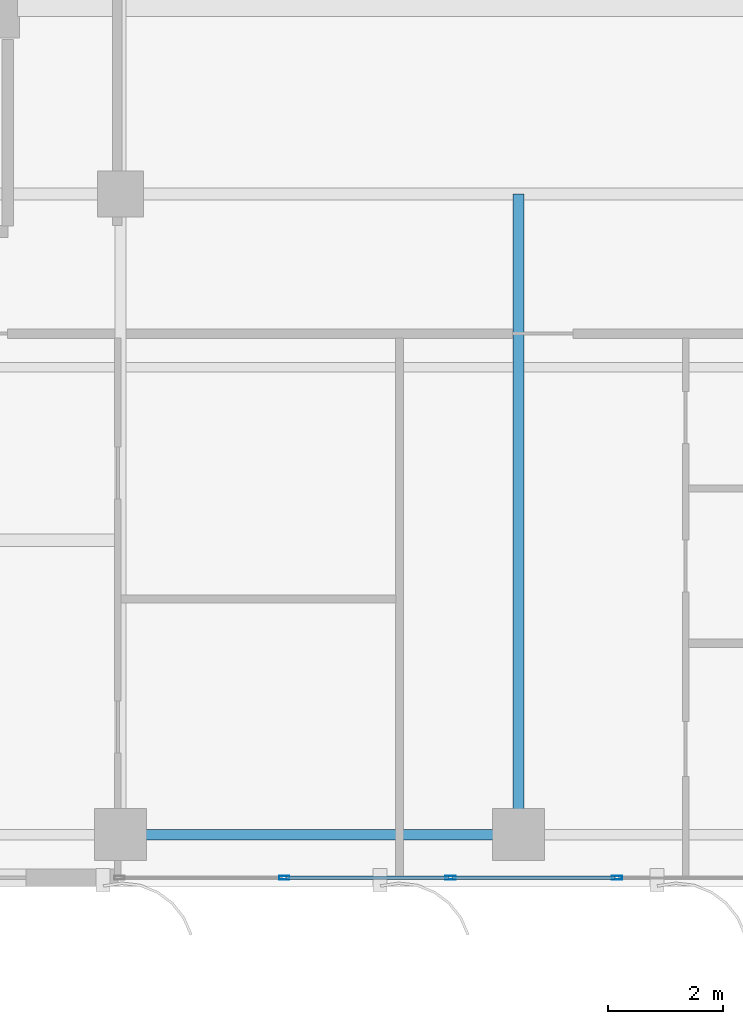
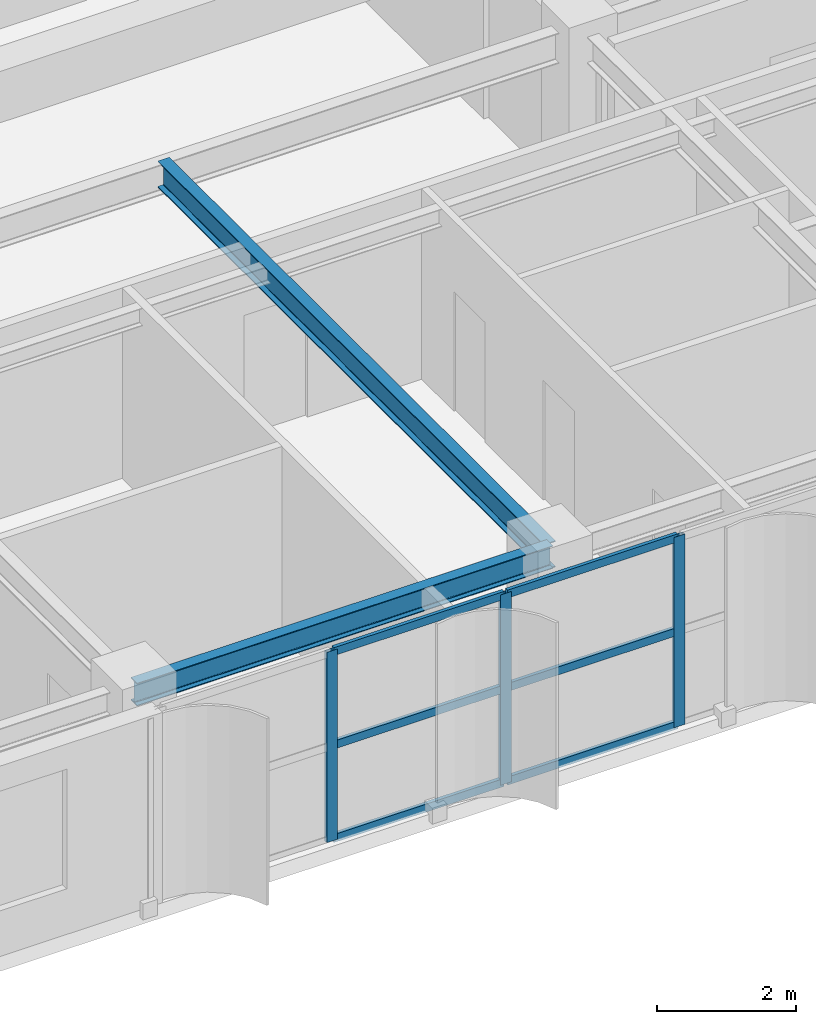
# One storey, part 4 of 25: 9 members, 2 beams, 1 element without a shape of its own.
"""IFC4 building model written with IfcOpenShell, lengths in metres."""

from ifc_helpers import new_model, si_unit, direction, frame, origin, origin_2d, place, context, subcontext, project, spatial, hollow_rectangle, i_section, extrude, source, transform, mapped, material, layer, layer_set, material_profile, profile_set, type_object, element, aggregate, save


model = new_model("IFC4")

# Units and contexts
model_context = context("Model", 3, precision=1e-05, world=origin(), true_north=direction((0.0, 1.0)))
body_context = subcontext(model_context, "Body", "Model", "MODEL_VIEW")
ifc_project = project(units=[si_unit("LENGTHUNIT", "METRE"), si_unit("AREAUNIT", "SQUARE_METRE"), si_unit("VOLUMEUNIT", "CUBIC_METRE"), si_unit("PLANEANGLEUNIT", "RADIAN"), si_unit("MASSUNIT", "GRAM", prefix="KILO")], contexts=[model_context])

# Site, building, storey
site_placement = place(None, origin())
site = spatial("IfcSite", under=ifc_project, at=site_placement, CompositionType="ELEMENT")
building_placement = place(site_placement, origin())
building = spatial("IfcBuilding", under=site, at=building_placement, Name="Khoralis Quay Care Tower", CompositionType="ELEMENT")
storey_placement = place(building_placement, frame((0.0, 0.0, 166.5)))
storey = spatial("IfcBuildingStorey", under=building, at=storey_placement, Name="L43", CompositionType="ELEMENT", Elevation=166.5)

# Beams
ifc_material_1 = material(Name="Steel S355", Category="steel")
ifc_material_profile_1 = material_profile(ifc_material_1, i_section(OverallWidth=0.179931640625, OverallDepth=0.39990234375, WebThickness=0.008544921875, FlangeThickness=0.013427734375, FilletRadius=0.02099609375, at=origin_2d()), Name="Steel S355")
ifc_profile_set_1 = profile_set([ifc_material_profile_1], Name="Steel S355")
beam_type_1 = type_object("IfcBeamType", Name="BM-IPE400", PredefinedType="SPANDREL", material=ifc_profile_set_1)
shared_shape_1 = source(origin(), body_context, "Body", "SweptSolid", [
    extrude(i_section(OverallWidth=0.179931640625, OverallDepth=0.39990234375, WebThickness=0.008544921875, FlangeThickness=0.013427734375, FilletRadius=0.02099609375, at=origin_2d()), origin(), (0.0, 0.0, 1.0), 6.89990234375),
])
beam_1_placement = place(storey_placement, frame((17.10009765625, 0.89990234375, 3.139892578125), z_axis=(1.0, 0.0, 0.0), x_axis=(0.0, 1.0, 0.0)))
element("IfcBeam", 1, at=beam_1_placement, inside=storey, type_object=beam_type_1, Name="BM-TSP-L43-02", PredefinedType="SPANDREL", context=body_context, shape_type="MappedRepresentation", body=[
    mapped(shared_shape_1, transform((0.0, 0.0, 0.0), scale=1.0)),
])
ifc_material_profile_2 = material_profile(ifc_material_1, i_section(OverallWidth=0.19189453125, OverallDepth=0.462890625, WebThickness=0.010498046875, FlangeThickness=0.017578125, FilletRadius=0.014892578125, at=origin_2d()), Name="Steel S355")
ifc_profile_set_2 = profile_set([ifc_material_profile_2], Name="Steel S355")
beam_type_2 = type_object("IfcBeamType", Name="BM-W460X89", PredefinedType="BEAM", material=ifc_profile_set_2)
shared_shape_2 = source(origin(), body_context, "Body", "SweptSolid", [
    extrude(i_section(OverallWidth=0.19189453125, OverallDepth=0.462890625, WebThickness=0.010498046875, FlangeThickness=0.017578125, FilletRadius=0.014892578125, at=origin_2d()), origin(), (0.0, 0.0, 1.0), 11.10009765625),
])
beam_2_placement = place(storey_placement, frame((24.0, 0.89990234375, 3.1083984375), z_axis=(0.0, 1.0, 0.0), x_axis=(-1.0, 0.0, 0.0)))
element("IfcBeam", 2, at=beam_2_placement, inside=storey, type_object=beam_type_2, Name="BM-TGYS-L43-240", PredefinedType="BEAM", context=body_context, shape_type="MappedRepresentation", body=[
    mapped(shared_shape_2, transform((0.0, 0.0, 0.0), scale=1.0)),
])

# Curtain wall, members
ifc_material_2 = material(Name="Pale anodised aluminium", Category="aluminium")
ifc_layer = layer(ifc_material_2, 0.159912109375)
ifc_layer_set = layer_set([ifc_layer], Name="Pale anodised aluminium")
curtain_wall_type = type_object("IfcCurtainWallType", Name="CW-SYS-Z3", PredefinedType="NOTDEFINED", material=ifc_layer_set)
curtain_wall_placement = place(storey_placement, origin())
curtain_wall = element("IfcCurtainWall", 3, at=curtain_wall_placement, inside=storey, type_object=curtain_wall_type, Name="L43 Unitised Curtain Wall CW-L43-P1-E0", PredefinedType="NOTDEFINED")
ifc_material_profile_3 = material_profile(ifc_material_2, hollow_rectangle(XDim=0.06494140625, YDim=0.179931640625, WallThickness=0.00390625, at=origin_2d()), Name="Pale anodised aluminium")
ifc_profile_set_3 = profile_set([ifc_material_profile_3], Name="Pale anodised aluminium")
member_type_1 = type_object("IfcMemberType", Name="CW-MUL-180", PredefinedType="MULLION", material=ifc_profile_set_3)
shared_shape_3 = source(origin(), body_context, "Body", "SweptSolid", [
    extrude(hollow_rectangle(XDim=0.06494140625, YDim=0.179931640625, WallThickness=0.00390625, at=origin_2d()), origin(), (0.0, 0.0, 1.0), 3.340087890625),
])
member_1_placement = place(storey_placement, frame((19.939697265625, 0.14990234375, 0.0), z_axis=(0.0, 0.0, 1.0), x_axis=(0.0, 1.0, 0.0)))
member_1 = element("IfcMember", 4, at=member_1_placement, type_object=member_type_1, Name="CW3 mullion 2", PredefinedType="MULLION", context=body_context, shape_type="MappedRepresentation", body=[
    mapped(shared_shape_3, transform((0.0, 0.0, 0.0), scale=1.0)),
])
member_2_placement = place(storey_placement, frame((22.822265625, 0.14990234375, 0.0), z_axis=(0.0, 0.0, 1.0), x_axis=(0.0, 1.0, 0.0)))
member_2 = element("IfcMember", 5, at=member_2_placement, type_object=member_type_1, Name="CW3 mullion 3", PredefinedType="MULLION", context=body_context, shape_type="MappedRepresentation", body=[
    mapped(shared_shape_3, transform((0.0, 0.0, 0.0), scale=1.0)),
])
member_3_placement = place(storey_placement, frame((25.704833984375, 0.14990234375, 0.0), z_axis=(0.0, 0.0, 1.0), x_axis=(0.0, 1.0, 0.0)))
member_3 = element("IfcMember", 6, at=member_3_placement, type_object=member_type_1, Name="CW3 mullion 4", PredefinedType="MULLION", context=body_context, shape_type="MappedRepresentation", body=[
    mapped(shared_shape_3, transform((0.0, 0.0, 0.0), scale=1.0)),
])
ifc_material_profile_4 = material_profile(ifc_material_2, hollow_rectangle(XDim=0.06005859375, YDim=0.139892578125, WallThickness=0.00390625, at=origin_2d()), Name="Pale anodised aluminium")
ifc_profile_set_4 = profile_set([ifc_material_profile_4], Name="Pale anodised aluminium")
member_type_2 = type_object("IfcMemberType", Name="CW-TRN-140", PredefinedType="USERDEFINED", material=ifc_profile_set_4)
shared_shape_4 = source(origin(), body_context, "Body", "SweptSolid", [
    extrude(hollow_rectangle(XDim=0.06005859375, YDim=0.139892578125, WallThickness=0.00390625, at=origin_2d()), origin(), (0.0, 0.0, 1.0), 2.82275390625),
])
member_4_placement = place(storey_placement, frame((19.969482421875, 0.14990234375, 0.030029296875), z_axis=(1.0, 0.0, 0.0), x_axis=(0.0, 1.0, 0.0)))
member_4 = element("IfcMember", 7, at=member_4_placement, type_object=member_type_2, Name="CW3 transom 2.1", ObjectType="TRANSOM", PredefinedType="USERDEFINED", context=body_context, shape_type="MappedRepresentation", body=[
    mapped(shared_shape_4, transform((0.0, 0.0, 0.0), scale=1.0)),
])
member_5_placement = place(storey_placement, frame((19.969482421875, 0.14990234375, 1.669921875), z_axis=(1.0, 0.0, 0.0), x_axis=(0.0, 1.0, 0.0)))
member_5 = element("IfcMember", 8, at=member_5_placement, type_object=member_type_2, Name="CW3 transom 2.2", ObjectType="TRANSOM", PredefinedType="USERDEFINED", context=body_context, shape_type="MappedRepresentation", body=[
    mapped(shared_shape_4, transform((0.0, 0.0, 0.0), scale=1.0)),
])
member_6_placement = place(storey_placement, frame((19.969482421875, 0.14990234375, 3.31005859375), z_axis=(1.0, 0.0, 0.0), x_axis=(0.0, 1.0, 0.0)))
member_6 = element("IfcMember", 9, at=member_6_placement, type_object=member_type_2, Name="CW3 transom 2.3", ObjectType="TRANSOM", PredefinedType="USERDEFINED", context=body_context, shape_type="MappedRepresentation", body=[
    mapped(shared_shape_4, transform((0.0, 0.0, 0.0), scale=1.0)),
])
shared_shape_5 = source(origin(), body_context, "Body", "SweptSolid", [
    extrude(hollow_rectangle(XDim=0.06005859375, YDim=0.139892578125, WallThickness=0.00390625, at=origin_2d()), origin(), (0.0, 0.0, 1.0), 2.822509765625),
])
member_7_placement = place(storey_placement, frame((22.852294921875, 0.14990234375, 0.030029296875), z_axis=(1.0, 0.0, 0.0), x_axis=(0.0, 1.0, 0.0)))
member_7 = element("IfcMember", 10, at=member_7_placement, type_object=member_type_2, Name="CW3 transom 3.1", ObjectType="TRANSOM", PredefinedType="USERDEFINED", context=body_context, shape_type="MappedRepresentation", body=[
    mapped(shared_shape_5, transform((0.0, 0.0, 0.0), scale=1.0)),
])
member_8_placement = place(storey_placement, frame((22.852294921875, 0.14990234375, 1.669921875), z_axis=(1.0, 0.0, 0.0), x_axis=(0.0, 1.0, 0.0)))
member_8 = element("IfcMember", 11, at=member_8_placement, type_object=member_type_2, Name="CW3 transom 3.2", ObjectType="TRANSOM", PredefinedType="USERDEFINED", context=body_context, shape_type="MappedRepresentation", body=[
    mapped(shared_shape_5, transform((0.0, 0.0, 0.0), scale=1.0)),
])
member_9_placement = place(storey_placement, frame((22.852294921875, 0.14990234375, 3.31005859375), z_axis=(1.0, 0.0, 0.0), x_axis=(0.0, 1.0, 0.0)))
member_9 = element("IfcMember", 12, at=member_9_placement, type_object=member_type_2, Name="CW3 transom 3.3", ObjectType="TRANSOM", PredefinedType="USERDEFINED", context=body_context, shape_type="MappedRepresentation", body=[
    mapped(shared_shape_5, transform((0.0, 0.0, 0.0), scale=1.0)),
])
aggregate(curtain_wall, [member_1, member_2, member_3, member_4, member_5, member_6, member_7, member_8, member_9])

save(model, "model.ifc")
